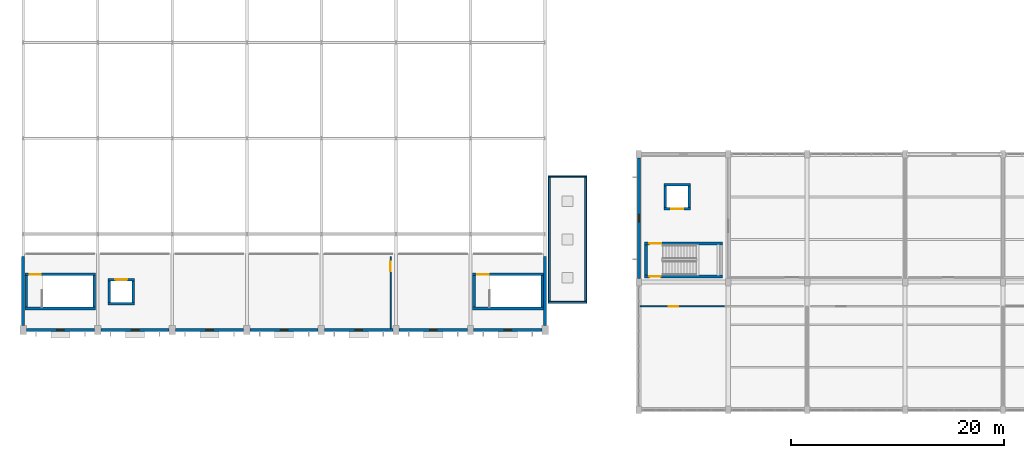
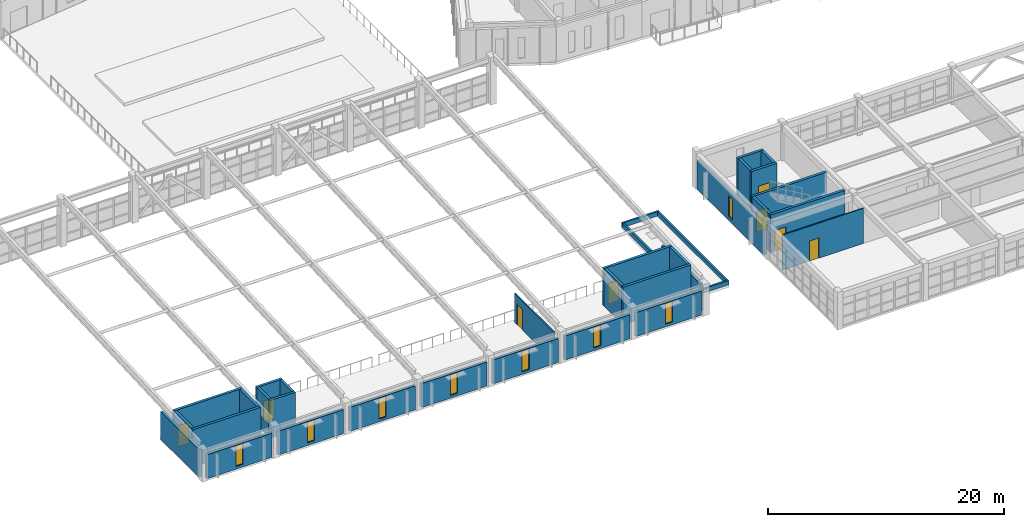
# One storey, part 84 of 150: 35 walls, 8 doors, 8 windows, 16 openings.
"""IFC4 building model written with IfcOpenShell, lengths in metres."""

from ifc_helpers import new_model, si_unit, direction, frame, frame_2d, origin, place, context, subcontext, project, spatial, rectangle, extrude, material, layer, layer_set, type_object, element, fill, save


model = new_model("IFC4")

# Units and contexts
model_context = context("Model", 3, precision=1e-05, world=origin(), true_north=direction((0.0, 1.0)))
body_context = subcontext(model_context, "Body", "Model", "MODEL_VIEW")
ifc_project = project(units=[si_unit("LENGTHUNIT", "METRE"), si_unit("AREAUNIT", "SQUARE_METRE"), si_unit("VOLUMEUNIT", "CUBIC_METRE"), si_unit("PLANEANGLEUNIT", "RADIAN"), si_unit("MASSUNIT", "GRAM", prefix="KILO")], contexts=[model_context])

# Site, building, storey
site_placement = place(None, origin())
site = spatial("IfcSite", under=ifc_project, at=site_placement, CompositionType="ELEMENT")
building_placement = place(site_placement, origin())
building = spatial("IfcBuilding", under=site, at=building_placement, Name="Kestramere Prow Commons", CompositionType="ELEMENT")
storey_placement = place(building_placement, frame((0.0, 0.0, 4.5)))
storey = spatial("IfcBuildingStorey", under=building, at=storey_placement, Name="L01", CompositionType="ELEMENT", Elevation=4.5)

# Wall, opening, window
ifc_material_1 = material(Name="Precast concrete C40/50", Category="concrete")
ifc_layer_1 = layer(ifc_material_1, 0.280029296875)
ifc_layer_set_1 = layer_set([ifc_layer_1], Name="Precast concrete C40/50")
wall_type_1 = type_object("IfcWallType", Name="EW-CIVIC-280", PredefinedType="SOLIDWALL", material=ifc_layer_set_1)
wall_1_placement = place(storey_placement, frame((8.89990234375, 7.5, 0.0), z_axis=(0.0, 0.0, 1.0), x_axis=(-1.0, 0.0, 0.0)))
wall_1 = element("IfcWall", 1, at=wall_1_placement, inside=storey, type_object=wall_type_1, Name="Hall L01 Gallery Wall 1", PredefinedType="SOLIDWALL", context=body_context, shape_type="SweptSolid", body=[
    extrude(rectangle(XDim=6.39990234375, YDim=0.280029296875, at=frame_2d((3.199951171875, 0.0))), origin(), (0.0, 0.0, 1.0), 2.47998046875),
])
opening_1_placement = place(wall_1_placement, frame((2.85009765625, 0.0, 0.280029296875)))
opening_1 = element("IfcOpeningElement", 2, at=opening_1_placement, cuts=wall_1, Name="Opening WN-16", PredefinedType="OPENING", context=body_context, shape_type="SweptSolid", body=[
    extrude(rectangle(XDim=0.699951171875, YDim=2.139892578125, at=frame_2d((0.35009765625, 1.06982421875))), frame((0.0, 0.155029296875, 0.0), z_axis=(0.0, -1.0, 0.0), x_axis=(1.0, 0.0, 0.0)), (0.0, 0.0, 1.0), 0.31005859375),
])
ifc_material_2 = material(Name="Low-E Laminated Double Glazing", Category="glass")
window_type = type_object("IfcWindowType", Name="WN-CIV-700", PartitioningType="SINGLE_PANEL", PredefinedType="WINDOW", material=ifc_material_2)
window_1_placement = place(opening_1_placement, origin())
window_1 = element("IfcWindow", 3, at=window_1_placement, inside=storey, type_object=window_type, Name="WN-HL-L01-S-0", OverallHeight=2.139892578125, OverallWidth=0.699951171875, PartitioningType="SINGLE_PANEL", PredefinedType="WINDOW", context=body_context, shape_type="SweptSolid", body=[
    extrude(rectangle(XDim=0.699951171875, YDim=2.139892578125, at=frame_2d((0.35009765625, 1.06982421875))), frame((0.0, 0.030029296875, 0.0), z_axis=(0.0, -1.0, 0.0), x_axis=(1.0, 0.0, 0.0)), (0.0, 0.0, 1.0), 0.06005859375),
])
fill(opening_1, window_1)

wall_2_placement = place(storey_placement, frame((15.89990234375, 7.5, 0.0), z_axis=(0.0, 0.0, 1.0), x_axis=(-1.0, 0.0, 0.0)))
wall_2 = element("IfcWall", 4, at=wall_2_placement, inside=storey, type_object=wall_type_1, Name="Hall L01 Gallery Wall 2", PredefinedType="SOLIDWALL", context=body_context, shape_type="SweptSolid", body=[
    extrude(rectangle(XDim=6.39990234375, YDim=0.280029296875, at=frame_2d((3.199951171875, 0.0))), origin(), (0.0, 0.0, 1.0), 2.47998046875),
])
opening_2_placement = place(wall_2_placement, frame((2.85009765625, 0.0, 0.280029296875)))
opening_2 = element("IfcOpeningElement", 5, at=opening_2_placement, cuts=wall_2, Name="Opening WN-16", PredefinedType="OPENING", context=body_context, shape_type="SweptSolid", body=[
    extrude(rectangle(XDim=0.699951171875, YDim=2.139892578125, at=frame_2d((0.35009765625, 1.06982421875))), frame((0.0, 0.155029296875, 0.0), z_axis=(0.0, -1.0, 0.0), x_axis=(1.0, 0.0, 0.0)), (0.0, 0.0, 1.0), 0.31005859375),
])
window_2_placement = place(opening_2_placement, origin())
window_2 = element("IfcWindow", 6, at=window_2_placement, inside=storey, type_object=window_type, Name="WN-HL-L01-S-1", OverallHeight=2.139892578125, OverallWidth=0.699951171875, PartitioningType="SINGLE_PANEL", PredefinedType="WINDOW", context=body_context, shape_type="SweptSolid", body=[
    extrude(rectangle(XDim=0.699951171875, YDim=2.139892578125, at=frame_2d((0.35009765625, 1.06982421875))), frame((0.0, 0.030029296875, 0.0), z_axis=(0.0, -1.0, 0.0), x_axis=(1.0, 0.0, 0.0)), (0.0, 0.0, 1.0), 0.06005859375),
])
fill(opening_2, window_2)

wall_3_placement = place(storey_placement, frame((22.89990234375, 7.5, 0.0), z_axis=(0.0, 0.0, 1.0), x_axis=(-1.0, 0.0, 0.0)))
wall_3 = element("IfcWall", 7, at=wall_3_placement, inside=storey, type_object=wall_type_1, Name="Hall L01 Gallery Wall 3", PredefinedType="SOLIDWALL", context=body_context, shape_type="SweptSolid", body=[
    extrude(rectangle(XDim=6.39990234375, YDim=0.280029296875, at=frame_2d((3.199951171875, 0.0))), origin(), (0.0, 0.0, 1.0), 2.47998046875),
])
opening_3_placement = place(wall_3_placement, frame((2.85009765625, 0.0, 0.280029296875)))
opening_3 = element("IfcOpeningElement", 8, at=opening_3_placement, cuts=wall_3, Name="Opening WN-16", PredefinedType="OPENING", context=body_context, shape_type="SweptSolid", body=[
    extrude(rectangle(XDim=0.699951171875, YDim=2.139892578125, at=frame_2d((0.35009765625, 1.06982421875))), frame((0.0, 0.155029296875, 0.0), z_axis=(0.0, -1.0, 0.0), x_axis=(1.0, 0.0, 0.0)), (0.0, 0.0, 1.0), 0.31005859375),
])
window_3_placement = place(opening_3_placement, origin())
window_3 = element("IfcWindow", 9, at=window_3_placement, inside=storey, type_object=window_type, Name="WN-HL-L01-S-2", OverallHeight=2.139892578125, OverallWidth=0.699951171875, PartitioningType="SINGLE_PANEL", PredefinedType="WINDOW", context=body_context, shape_type="SweptSolid", body=[
    extrude(rectangle(XDim=0.699951171875, YDim=2.139892578125, at=frame_2d((0.35009765625, 1.06982421875))), frame((0.0, 0.030029296875, 0.0), z_axis=(0.0, -1.0, 0.0), x_axis=(1.0, 0.0, 0.0)), (0.0, 0.0, 1.0), 0.06005859375),
])
fill(opening_3, window_3)

wall_4_placement = place(storey_placement, frame((29.89990234375, 7.5, 0.0), z_axis=(0.0, 0.0, 1.0), x_axis=(-1.0, 0.0, 0.0)))
wall_4 = element("IfcWall", 10, at=wall_4_placement, inside=storey, type_object=wall_type_1, Name="Hall L01 Gallery Wall 4", PredefinedType="SOLIDWALL", context=body_context, shape_type="SweptSolid", body=[
    extrude(rectangle(XDim=6.39990234375, YDim=0.280029296875, at=frame_2d((3.199951171875, 0.0))), origin(), (0.0, 0.0, 1.0), 2.47998046875),
])
opening_4_placement = place(wall_4_placement, frame((2.85009765625, 0.0, 0.280029296875)))
opening_4 = element("IfcOpeningElement", 11, at=opening_4_placement, cuts=wall_4, Name="Opening WN-16", PredefinedType="OPENING", context=body_context, shape_type="SweptSolid", body=[
    extrude(rectangle(XDim=0.699951171875, YDim=2.139892578125, at=frame_2d((0.35009765625, 1.06982421875))), frame((0.0, 0.155029296875, 0.0), z_axis=(0.0, -1.0, 0.0), x_axis=(1.0, 0.0, 0.0)), (0.0, 0.0, 1.0), 0.31005859375),
])
window_4_placement = place(opening_4_placement, origin())
window_4 = element("IfcWindow", 12, at=window_4_placement, inside=storey, type_object=window_type, Name="WN-HL-L01-S-3", OverallHeight=2.139892578125, OverallWidth=0.699951171875, PartitioningType="SINGLE_PANEL", PredefinedType="WINDOW", context=body_context, shape_type="SweptSolid", body=[
    extrude(rectangle(XDim=0.699951171875, YDim=2.139892578125, at=frame_2d((0.35009765625, 1.06982421875))), frame((0.0, 0.030029296875, 0.0), z_axis=(0.0, -1.0, 0.0), x_axis=(1.0, 0.0, 0.0)), (0.0, 0.0, 1.0), 0.06005859375),
])
fill(opening_4, window_4)

wall_5_placement = place(storey_placement, frame((36.89990234375, 7.5, 0.0), z_axis=(0.0, 0.0, 1.0), x_axis=(-1.0, 0.0, 0.0)))
wall_5 = element("IfcWall", 13, at=wall_5_placement, inside=storey, type_object=wall_type_1, Name="Hall L01 Gallery Wall 5", PredefinedType="SOLIDWALL", context=body_context, shape_type="SweptSolid", body=[
    extrude(rectangle(XDim=6.39990234375, YDim=0.280029296875, at=frame_2d((3.199951171875, 0.0))), origin(), (0.0, 0.0, 1.0), 2.47998046875),
])
opening_5_placement = place(wall_5_placement, frame((2.85009765625, 0.0, 0.280029296875)))
opening_5 = element("IfcOpeningElement", 14, at=opening_5_placement, cuts=wall_5, Name="Opening WN-16", PredefinedType="OPENING", context=body_context, shape_type="SweptSolid", body=[
    extrude(rectangle(XDim=0.699951171875, YDim=2.139892578125, at=frame_2d((0.35009765625, 1.06982421875))), frame((0.0, 0.155029296875, 0.0), z_axis=(0.0, -1.0, 0.0), x_axis=(1.0, 0.0, 0.0)), (0.0, 0.0, 1.0), 0.31005859375),
])
window_5_placement = place(opening_5_placement, origin())
window_5 = element("IfcWindow", 15, at=window_5_placement, inside=storey, type_object=window_type, Name="WN-HL-L01-S-4", OverallHeight=2.139892578125, OverallWidth=0.699951171875, PartitioningType="SINGLE_PANEL", PredefinedType="WINDOW", context=body_context, shape_type="SweptSolid", body=[
    extrude(rectangle(XDim=0.699951171875, YDim=2.139892578125, at=frame_2d((0.35009765625, 1.06982421875))), frame((0.0, 0.030029296875, 0.0), z_axis=(0.0, -1.0, 0.0), x_axis=(1.0, 0.0, 0.0)), (0.0, 0.0, 1.0), 0.06005859375),
])
fill(opening_5, window_5)

wall_6_placement = place(storey_placement, frame((43.89990234375, 7.5, 0.0), z_axis=(0.0, 0.0, 1.0), x_axis=(-1.0, 0.0, 0.0)))
wall_6 = element("IfcWall", 16, at=wall_6_placement, inside=storey, type_object=wall_type_1, Name="Hall L01 Gallery Wall 6", PredefinedType="SOLIDWALL", context=body_context, shape_type="SweptSolid", body=[
    extrude(rectangle(XDim=6.39990234375, YDim=0.280029296875, at=frame_2d((3.199951171875, 0.0))), origin(), (0.0, 0.0, 1.0), 2.47998046875),
])
opening_6_placement = place(wall_6_placement, frame((2.85009765625, 0.0, 0.280029296875)))
opening_6 = element("IfcOpeningElement", 17, at=opening_6_placement, cuts=wall_6, Name="Opening WN-16", PredefinedType="OPENING", context=body_context, shape_type="SweptSolid", body=[
    extrude(rectangle(XDim=0.699951171875, YDim=2.139892578125, at=frame_2d((0.35009765625, 1.06982421875))), frame((0.0, 0.155029296875, 0.0), z_axis=(0.0, -1.0, 0.0), x_axis=(1.0, 0.0, 0.0)), (0.0, 0.0, 1.0), 0.31005859375),
])
window_6_placement = place(opening_6_placement, origin())
window_6 = element("IfcWindow", 18, at=window_6_placement, inside=storey, type_object=window_type, Name="WN-HL-L01-S-5", OverallHeight=2.139892578125, OverallWidth=0.699951171875, PartitioningType="SINGLE_PANEL", PredefinedType="WINDOW", context=body_context, shape_type="SweptSolid", body=[
    extrude(rectangle(XDim=0.699951171875, YDim=2.139892578125, at=frame_2d((0.35009765625, 1.06982421875))), frame((0.0, 0.030029296875, 0.0), z_axis=(0.0, -1.0, 0.0), x_axis=(1.0, 0.0, 0.0)), (0.0, 0.0, 1.0), 0.06005859375),
])
fill(opening_6, window_6)

wall_7_placement = place(storey_placement, frame((50.89990234375, 7.5, 0.0), z_axis=(0.0, 0.0, 1.0), x_axis=(-1.0, 0.0, 0.0)))
wall_7 = element("IfcWall", 19, at=wall_7_placement, inside=storey, type_object=wall_type_1, Name="Hall L01 Gallery Wall 7", PredefinedType="SOLIDWALL", context=body_context, shape_type="SweptSolid", body=[
    extrude(rectangle(XDim=6.39990234375, YDim=0.280029296875, at=frame_2d((3.199951171875, 0.0))), origin(), (0.0, 0.0, 1.0), 2.47998046875),
])
opening_7_placement = place(wall_7_placement, frame((2.85009765625, 0.0, 0.280029296875)))
opening_7 = element("IfcOpeningElement", 20, at=opening_7_placement, cuts=wall_7, Name="Opening WN-16", PredefinedType="OPENING", context=body_context, shape_type="SweptSolid", body=[
    extrude(rectangle(XDim=0.699951171875, YDim=2.139892578125, at=frame_2d((0.35009765625, 1.06982421875))), frame((0.0, 0.155029296875, 0.0), z_axis=(0.0, -1.0, 0.0), x_axis=(1.0, 0.0, 0.0)), (0.0, 0.0, 1.0), 0.31005859375),
])
window_7_placement = place(opening_7_placement, origin())
window_7 = element("IfcWindow", 21, at=window_7_placement, inside=storey, type_object=window_type, Name="WN-HL-L01-S-6", OverallHeight=2.139892578125, OverallWidth=0.699951171875, PartitioningType="SINGLE_PANEL", PredefinedType="WINDOW", context=body_context, shape_type="SweptSolid", body=[
    extrude(rectangle(XDim=0.699951171875, YDim=2.139892578125, at=frame_2d((0.35009765625, 1.06982421875))), frame((0.0, 0.030029296875, 0.0), z_axis=(0.0, -1.0, 0.0), x_axis=(1.0, 0.0, 0.0)), (0.0, 0.0, 1.0), 0.06005859375),
])
fill(opening_7, window_7)

# Walls
for number, where, z_axis, x_axis, name in (
    (22, (2.199951171875, 7.89990234375, 0.0), (0.0, 0.0, 1.0), (0.0, 1.0, 0.0), "Hall L01 W Gallery End Wall"),
    (23, (51.199951171875, 14.39990234375, 0.0), (0.0, 0.0, 1.0), (0.0, -1.0, 0.0), "Hall L01 E Gallery End Wall"),
):
    element("IfcWall", number, at=place(storey_placement, frame(where, z_axis=z_axis, x_axis=x_axis)), inside=storey, type_object=wall_type_1, Name=name, PredefinedType="SOLIDWALL", context=body_context, shape_type="SweptSolid", body=[
        extrude(rectangle(XDim=6.5, YDim=0.280029296875, at=frame_2d((3.25, 0.0))), origin(), (0.0, 0.0, 1.0), 2.860107421875),
    ])

# Wall, opening, window
wall_8_placement = place(storey_placement, frame((60.0, 12.35009765625, 0.0), z_axis=(0.0, 0.0, 1.0), x_axis=(0.0, 1.0, 0.0)))
wall_8 = element("IfcWall", 24, at=wall_8_placement, inside=storey, type_object=wall_type_1, Name="Market L01 W End Wall 2", PredefinedType="SOLIDWALL", context=body_context, shape_type="SweptSolid", body=[
    extrude(rectangle(XDim=11.2998046875, YDim=0.280029296875, at=frame_2d((5.64990234375, 0.0))), origin(), (0.0, 0.0, 1.0), 2.989990234375),
])
opening_8_placement = place(wall_8_placement, frame((5.300048828125, 0.0, 0.419921875)))
opening_8 = element("IfcOpeningElement", 25, at=opening_8_placement, cuts=wall_8, Name="Opening WN-16", PredefinedType="OPENING", context=body_context, shape_type="SweptSolid", body=[
    extrude(rectangle(XDim=0.699951171875, YDim=2.139892578125, at=frame_2d((0.35009765625, 1.06982421875))), frame((0.0, 0.155029296875, 0.0), z_axis=(0.0, -1.0, 0.0), x_axis=(1.0, 0.0, 0.0)), (0.0, 0.0, 1.0), 0.31005859375),
])
window_8_placement = place(opening_8_placement, origin())
window_8 = element("IfcWindow", 26, at=window_8_placement, inside=storey, type_object=window_type, Name="WN-MK-L01-W-1", OverallHeight=2.139892578125, OverallWidth=0.699951171875, PartitioningType="SINGLE_PANEL", PredefinedType="WINDOW", context=body_context, shape_type="SweptSolid", body=[
    extrude(rectangle(XDim=0.699951171875, YDim=2.139892578125, at=frame_2d((0.35009765625, 1.06982421875))), frame((0.0, 0.030029296875, 0.0), z_axis=(0.0, -1.0, 0.0), x_axis=(1.0, 0.0, 0.0)), (0.0, 0.0, 1.0), 0.06005859375),
])
fill(opening_8, window_8)

# Walls
ifc_layer_2 = layer(ifc_material_1, 0.179931640625)
ifc_layer_set_2 = layer_set([ifc_layer_2], Name="Precast concrete C40/50")
wall_type_2 = type_object("IfcWallType", Name="EW-PARAPET-180", PredefinedType="PARAPET", material=ifc_layer_set_2)
for number, where, z_axis, x_axis, name in (
    (27, (55.10009765625, 10.090087890625, 0.050048828125), (0.0, 0.0, 1.0), (-1.0, 0.0, 0.0), "West Canopy Fascia Parapet S"),
    (28, (51.5, 21.909912109375, 0.050048828125), (0.0, 0.0, 1.0), (1.0, 0.0, 0.0), "West Canopy Fascia Parapet N"),
):
    element("IfcWall", number, at=place(storey_placement, frame(where, z_axis=z_axis, x_axis=x_axis)), inside=storey, type_object=wall_type_2, Name=name, PredefinedType="PARAPET", context=body_context, shape_type="SweptSolid", body=[
        extrude(rectangle(XDim=3.60009765625, YDim=0.179931640625, at=frame_2d((1.800048828125, 0.0))), origin(), (0.0, 0.0, 1.0), 0.449951171875),
    ])
for number, where, z_axis, x_axis, name in (
    (29, (51.590087890625, 10.179931640625, 0.050048828125), (0.0, 0.0, 1.0), (0.0, 1.0, 0.0), "West Canopy Fascia Parapet W"),
    (30, (55.010009765625, 21.820068359375, 0.050048828125), (0.0, 0.0, 1.0), (0.0, -1.0, 0.0), "West Canopy Fascia Parapet E"),
):
    element("IfcWall", number, at=place(storey_placement, frame(where, z_axis=z_axis, x_axis=x_axis)), inside=storey, type_object=wall_type_2, Name=name, PredefinedType="PARAPET", context=body_context, shape_type="SweptSolid", body=[
        extrude(rectangle(XDim=11.64013671875, YDim=0.179931640625, at=frame_2d((5.820068359375, 0.0))), origin(), (0.0, 0.0, 1.0), 0.449951171875),
    ])

# Wall, opening, door
ifc_material_3 = material(Name="Concrete C40/50", Category="concrete")
ifc_layer_3 = layer(ifc_material_3, 0.25)
ifc_layer_set_3 = layer_set([ifc_layer_3], Name="Concrete C40/50")
wall_type_3 = type_object("IfcWallType", Name="W-CORE-250", PredefinedType="SHEAR", material=ifc_layer_set_3)
wall_9_placement = place(storey_placement, frame((2.35009765625, 12.72509765625, 0.0), z_axis=(0.0, 0.0, 1.0), x_axis=(1.0, 0.0, 0.0)))
wall_9 = element("IfcWall", 31, at=wall_9_placement, inside=storey, type_object=wall_type_3, Name="ST-H1 L01 North Wall", PredefinedType="SHEAR", context=body_context, shape_type="SweptSolid", body=[
    extrude(rectangle(XDim=6.64990234375, YDim=0.25, at=frame_2d((3.324951171875, 0.0))), origin(), (0.0, 0.0, 1.0), 3.89990234375),
])
opening_9_placement = place(wall_9_placement, frame((0.449951171875, 0.0, 0.0)))
opening_9 = element("IfcOpeningElement", 32, at=opening_9_placement, cuts=wall_9, Name="Opening ID-01", PredefinedType="OPENING", context=body_context, shape_type="SweptSolid", body=[
    extrude(rectangle(XDim=1.050048828125, YDim=2.14990234375, at=frame_2d((0.52490234375, 1.074951171875))), frame((0.0, 0.139892578125, 0.0), z_axis=(0.0, -1.0, 0.0), x_axis=(1.0, 0.0, 0.0)), (0.0, 0.0, 1.0), 0.280029296875),
])
ifc_material_4 = material(Name="Fire-Rated Timber and Steel Frame", Category="steel")
door_type_1 = type_object("IfcDoorType", Name="FD-ST-01", OperationType="NOTDEFINED", PredefinedType="DOOR", material=ifc_material_4)
door_1_placement = place(opening_9_placement, origin())
door_1 = element("IfcDoor", 33, at=door_1_placement, inside=storey, type_object=door_type_1, Name="ST-H1 L01 Protected Stair Door", OperationType="SINGLE_SWING_RIGHT", OverallHeight=2.14990234375, OverallWidth=1.050048828125, PredefinedType="DOOR", context=body_context, shape_type="SweptSolid", body=[
    extrude(rectangle(XDim=1.050048828125, YDim=2.14990234375, at=frame_2d((0.52490234375, 1.074951171875))), frame((0.0, 0.02490234375, 0.0), z_axis=(0.0, -1.0, 0.0), x_axis=(1.0, 0.0, 0.0)), (0.0, 0.0, 1.0), 0.050048828125),
])
fill(opening_9, door_1)

# Walls
wall_10_placement = place(storey_placement, frame((2.35009765625, 9.52490234375, 0.0), z_axis=(0.0, 0.0, 1.0), x_axis=(1.0, 0.0, 0.0)))
element("IfcWall", 34, at=wall_10_placement, inside=storey, type_object=wall_type_3, Name="ST-H1 L01 South Wall", PredefinedType="SHEAR", context=body_context, shape_type="SweptSolid", body=[
    extrude(rectangle(XDim=6.64990234375, YDim=0.25, at=frame_2d((3.324951171875, 0.0))), origin(), (0.0, 0.0, 1.0), 3.89990234375),
])
for number, where, z_axis, x_axis, name in (
    (35, (2.47509765625, 9.64990234375, 0.0), (0.0, 0.0, 1.0), (0.0, 1.0, 0.0), "ST-H1 L01 W Wall"),
    (36, (8.875, 9.64990234375, 0.0), (0.0, 0.0, 1.0), (0.0, 1.0, 0.0), "ST-H1 L01 E Wall"),
):
    element("IfcWall", number, at=place(storey_placement, frame(where, z_axis=z_axis, x_axis=x_axis)), inside=storey, type_object=wall_type_3, Name=name, PredefinedType="SHEAR", context=body_context, shape_type="SweptSolid", body=[
        extrude(rectangle(XDim=2.9501953125, YDim=0.25, at=frame_2d((1.47509765625, 0.0))), origin(), (0.0, 0.0, 1.0), 3.89990234375),
    ])

# Wall, opening, door
wall_11_placement = place(storey_placement, frame((44.39990234375, 12.72509765625, 0.0), z_axis=(0.0, 0.0, 1.0), x_axis=(1.0, 0.0, 0.0)))
wall_11 = element("IfcWall", 37, at=wall_11_placement, inside=storey, type_object=wall_type_3, Name="ST-H2 L01 North Wall", PredefinedType="SHEAR", context=body_context, shape_type="SweptSolid", body=[
    extrude(rectangle(XDim=6.650146484375, YDim=0.25, at=frame_2d((3.3251953125, 0.0))), origin(), (0.0, 0.0, 1.0), 3.89990234375),
])
opening_10_placement = place(wall_11_placement, frame((0.449951171875, 0.0, 0.0)))
opening_10 = element("IfcOpeningElement", 38, at=opening_10_placement, cuts=wall_11, Name="Opening ID-01", PredefinedType="OPENING", context=body_context, shape_type="SweptSolid", body=[
    extrude(rectangle(XDim=1.050048828125, YDim=2.14990234375, at=frame_2d((0.52490234375, 1.074951171875))), frame((0.0, 0.139892578125, 0.0), z_axis=(0.0, -1.0, 0.0), x_axis=(1.0, 0.0, 0.0)), (0.0, 0.0, 1.0), 0.280029296875),
])
door_2_placement = place(opening_10_placement, origin())
door_2 = element("IfcDoor", 39, at=door_2_placement, inside=storey, type_object=door_type_1, Name="ST-H2 L01 Protected Stair Door", OperationType="SINGLE_SWING_RIGHT", OverallHeight=2.14990234375, OverallWidth=1.050048828125, PredefinedType="DOOR", context=body_context, shape_type="SweptSolid", body=[
    extrude(rectangle(XDim=1.050048828125, YDim=2.14990234375, at=frame_2d((0.52490234375, 1.074951171875))), frame((0.0, 0.02490234375, 0.0), z_axis=(0.0, -1.0, 0.0), x_axis=(1.0, 0.0, 0.0)), (0.0, 0.0, 1.0), 0.050048828125),
])
fill(opening_10, door_2)

# Walls
wall_12_placement = place(storey_placement, frame((44.39990234375, 9.52490234375, 0.0), z_axis=(0.0, 0.0, 1.0), x_axis=(1.0, 0.0, 0.0)))
element("IfcWall", 40, at=wall_12_placement, inside=storey, type_object=wall_type_3, Name="ST-H2 L01 South Wall", PredefinedType="SHEAR", context=body_context, shape_type="SweptSolid", body=[
    extrude(rectangle(XDim=6.650146484375, YDim=0.25, at=frame_2d((3.3251953125, 0.0))), origin(), (0.0, 0.0, 1.0), 3.89990234375),
])
for number, where, z_axis, x_axis, name in (
    (41, (44.52490234375, 9.64990234375, 0.0), (0.0, 0.0, 1.0), (0.0, 1.0, 0.0), "ST-H2 L01 W Wall"),
    (42, (50.925048828125, 9.64990234375, 0.0), (0.0, 0.0, 1.0), (0.0, 1.0, 0.0), "ST-H2 L01 E Wall"),
):
    element("IfcWall", number, at=place(storey_placement, frame(where, z_axis=z_axis, x_axis=x_axis)), inside=storey, type_object=wall_type_3, Name=name, PredefinedType="SHEAR", context=body_context, shape_type="SweptSolid", body=[
        extrude(rectangle(XDim=2.9501953125, YDim=0.25, at=frame_2d((1.47509765625, 0.0))), origin(), (0.0, 0.0, 1.0), 3.89990234375),
    ])

# Wall, opening, door
wall_13_placement = place(storey_placement, frame((10.14990234375, 12.22509765625, 0.0), z_axis=(0.0, 0.0, 1.0), x_axis=(1.0, 0.0, 0.0)))
wall_13 = element("IfcWall", 43, at=wall_13_placement, inside=storey, type_object=wall_type_3, Name="PL-H1 L01 Shaft Wall N", PredefinedType="SHEAR", context=body_context, shape_type="SweptSolid", body=[
    extrude(rectangle(XDim=2.5, YDim=0.25, at=frame_2d((1.25, 0.0))), origin(), (0.0, 0.0, 1.0), 3.89990234375),
])
opening_11_placement = place(wall_13_placement, frame((0.699951171875, 0.0, 0.0)))
opening_11 = element("IfcOpeningElement", 44, at=opening_11_placement, cuts=wall_13, Name="Opening LD-01", PredefinedType="OPENING", context=body_context, shape_type="SweptSolid", body=[
    extrude(rectangle(XDim=1.10009765625, YDim=2.14990234375, at=frame_2d((0.550048828125, 1.074951171875))), frame((0.0, 0.139892578125, 0.0), z_axis=(0.0, -1.0, 0.0), x_axis=(1.0, 0.0, 0.0)), (0.0, 0.0, 1.0), 0.280029296875),
])
ifc_material_5 = material(Name="Brushed Stainless Steel 304", Category="steel")
door_type_2 = type_object("IfcDoorType", Name="LD-01", OperationType="DOUBLE_DOOR_SLIDING", PredefinedType="DOOR", material=ifc_material_5)
door_3_placement = place(opening_11_placement, origin())
door_3 = element("IfcDoor", 45, at=door_3_placement, inside=storey, type_object=door_type_2, Name="PL-H1 L01 Lift Landing Door", OperationType="DOUBLE_DOOR_SLIDING", OverallHeight=2.14990234375, OverallWidth=1.10009765625, PredefinedType="DOOR", context=body_context, shape_type="SweptSolid", body=[
    extrude(rectangle(XDim=1.10009765625, YDim=2.14990234375, at=frame_2d((0.550048828125, 1.074951171875))), frame((0.0, 0.02490234375, 0.0), z_axis=(0.0, -1.0, 0.0), x_axis=(1.0, 0.0, 0.0)), (0.0, 0.0, 1.0), 0.050048828125),
])
fill(opening_11, door_3)

# Walls
wall_14_placement = place(storey_placement, frame((10.14990234375, 9.97509765625, 0.0), z_axis=(0.0, 0.0, 1.0), x_axis=(1.0, 0.0, 0.0)))
element("IfcWall", 46, at=wall_14_placement, inside=storey, type_object=wall_type_3, Name="PL-H1 L01 Shaft Wall S", PredefinedType="SHEAR", context=body_context, shape_type="SweptSolid", body=[
    extrude(rectangle(XDim=2.5, YDim=0.25, at=frame_2d((1.25, 0.0))), origin(), (0.0, 0.0, 1.0), 3.89990234375),
])
for number, where, z_axis, x_axis, name in (
    (47, (10.27490234375, 10.10009765625, 0.0), (0.0, 0.0, 1.0), (0.0, 1.0, 0.0), "PL-H1 L01 Shaft Wall W"),
    (48, (12.52490234375, 10.10009765625, 0.0), (0.0, 0.0, 1.0), (0.0, 1.0, 0.0), "PL-H1 L01 Shaft Wall E"),
):
    element("IfcWall", number, at=place(storey_placement, frame(where, z_axis=z_axis, x_axis=x_axis)), inside=storey, type_object=wall_type_3, Name=name, PredefinedType="SHEAR", context=body_context, shape_type="SweptSolid", body=[
        extrude(rectangle(XDim=2.0, YDim=0.25, at=frame_2d((1.0, 0.0))), origin(), (0.0, 0.0, 1.0), 3.89990234375),
    ])

# Wall, opening, door
wall_15_placement = place(storey_placement, frame((60.550048828125, 12.52490234375, 0.0), z_axis=(0.0, 0.0, 1.0), x_axis=(1.0, 0.0, 0.0)))
wall_15 = element("IfcWall", 49, at=wall_15_placement, inside=storey, type_object=wall_type_3, Name="SW-ST-M1-L01-L", PredefinedType="SHEAR", context=body_context, shape_type="SweptSolid", body=[
    extrude(rectangle(XDim=7.300048828125, YDim=0.25, at=frame_2d((3.64990234375, 0.0))), origin(), (0.0, 0.0, 1.0), 3.89990234375),
])
opening_12_placement = place(wall_15_placement, frame((0.449951171875, 0.0, 0.0)))
opening_12 = element("IfcOpeningElement", 50, at=opening_12_placement, cuts=wall_15, Name="Opening ID-01", PredefinedType="OPENING", context=body_context, shape_type="SweptSolid", body=[
    extrude(rectangle(XDim=1.050048828125, YDim=2.14990234375, at=frame_2d((0.52490234375, 1.074951171875))), frame((0.0, 0.139892578125, 0.0), z_axis=(0.0, -1.0, 0.0), x_axis=(1.0, 0.0, 0.0)), (0.0, 0.0, 1.0), 0.280029296875),
])
door_4_placement = place(opening_12_placement, origin())
door_4 = element("IfcDoor", 51, at=door_4_placement, inside=storey, type_object=door_type_1, Name="ST-M1 L01 Protected Stair Door", OperationType="SINGLE_SWING_LEFT", OverallHeight=2.14990234375, OverallWidth=1.050048828125, PredefinedType="DOOR", context=body_context, shape_type="SweptSolid", body=[
    extrude(rectangle(XDim=1.050048828125, YDim=2.14990234375, at=frame_2d((0.52490234375, 1.074951171875))), frame((0.0, 0.02490234375, 0.0), z_axis=(0.0, -1.0, 0.0), x_axis=(1.0, 0.0, 0.0)), (0.0, 0.0, 1.0), 0.050048828125),
])
fill(opening_12, door_4)

wall_16_placement = place(storey_placement, frame((60.550048828125, 15.625, 0.0), z_axis=(0.0, 0.0, 1.0), x_axis=(1.0, 0.0, 0.0)))
wall_16 = element("IfcWall", 52, at=wall_16_placement, inside=storey, type_object=wall_type_3, Name="SW-ST-M1-L01-R", PredefinedType="SHEAR", context=body_context, shape_type="SweptSolid", body=[
    extrude(rectangle(XDim=7.300048828125, YDim=0.25, at=frame_2d((3.64990234375, 0.0))), origin(), (0.0, 0.0, 1.0), 3.89990234375),
])
opening_13_placement = place(wall_16_placement, frame((0.449951171875, 0.0, 0.0)))
opening_13 = element("IfcOpeningElement", 53, at=opening_13_placement, cuts=wall_16, Name="Opening ID-02", PredefinedType="OPENING", context=body_context, shape_type="SweptSolid", body=[
    extrude(rectangle(XDim=1.1201171875, YDim=2.14990234375, at=frame_2d((0.56005859375, 1.074951171875))), frame((0.0, 0.139892578125, 0.0), z_axis=(0.0, -1.0, 0.0), x_axis=(1.0, 0.0, 0.0)), (0.0, 0.0, 1.0), 0.280029296875),
])
door_type_3 = type_object("IfcDoorType", Name="FD-ST-02", OperationType="NOTDEFINED", PredefinedType="DOOR", material=ifc_material_4)
door_5_placement = place(opening_13_placement, origin())
door_5 = element("IfcDoor", 54, at=door_5_placement, inside=storey, type_object=door_type_3, Name="ST-M1 L01 Lobby/Exit Stair Door", OperationType="SINGLE_SWING_RIGHT", OverallHeight=2.14990234375, OverallWidth=1.1201171875, PredefinedType="DOOR", context=body_context, shape_type="SweptSolid", body=[
    extrude(rectangle(XDim=1.1201171875, YDim=2.14990234375, at=frame_2d((0.56005859375, 1.074951171875))), frame((0.0, 0.02490234375, 0.0), z_axis=(0.0, -1.0, 0.0), x_axis=(1.0, 0.0, 0.0)), (0.0, 0.0, 1.0), 0.050048828125),
])
fill(opening_13, door_5)

# Walls
wall_17_placement = place(storey_placement, frame((60.675048828125, 12.64990234375, 0.0), z_axis=(0.0, 0.0, 1.0), x_axis=(0.0, 1.0, 0.0)))
element("IfcWall", 55, at=wall_17_placement, inside=storey, type_object=wall_type_3, Name="SW-ST-M1-L01-N", PredefinedType="SHEAR", context=body_context, shape_type="SweptSolid", body=[
    extrude(rectangle(XDim=2.85009765625, YDim=0.25, at=frame_2d((1.425048828125, 0.0))), origin(), (0.0, 0.0, 1.0), 3.89990234375),
])
wall_18_placement = place(storey_placement, frame((62.35009765625, 21.125, 0.0), z_axis=(0.0, 0.0, 1.0), x_axis=(1.0, 0.0, 0.0)))
element("IfcWall", 56, at=wall_18_placement, inside=storey, type_object=wall_type_3, Name="CW-PLS1-L01-N", PredefinedType="SHEAR", context=body_context, shape_type="SweptSolid", body=[
    extrude(rectangle(XDim=2.5, YDim=0.25, at=frame_2d((1.25, 0.0))), origin(), (0.0, 0.0, 1.0), 3.89990234375),
])

# Wall, opening, door
wall_19_placement = place(storey_placement, frame((62.35009765625, 18.875, 0.0), z_axis=(0.0, 0.0, 1.0), x_axis=(1.0, 0.0, 0.0)))
wall_19 = element("IfcWall", 57, at=wall_19_placement, inside=storey, type_object=wall_type_3, Name="CW-PLS1-L01-S", PredefinedType="SHEAR", context=body_context, shape_type="SweptSolid", body=[
    extrude(rectangle(XDim=2.5, YDim=0.25, at=frame_2d((1.25, 0.0))), origin(), (0.0, 0.0, 1.0), 3.89990234375),
])
opening_14_placement = place(wall_19_placement, frame((0.699951171875, 0.0, 0.0)))
opening_14 = element("IfcOpeningElement", 58, at=opening_14_placement, cuts=wall_19, Name="Opening LD-01", PredefinedType="OPENING", context=body_context, shape_type="SweptSolid", body=[
    extrude(rectangle(XDim=1.10009765625, YDim=2.14990234375, at=frame_2d((0.550048828125, 1.074951171875))), frame((0.0, 0.139892578125, 0.0), z_axis=(0.0, -1.0, 0.0), x_axis=(1.0, 0.0, 0.0)), (0.0, 0.0, 1.0), 0.280029296875),
])
door_6_placement = place(opening_14_placement, origin())
door_6 = element("IfcDoor", 59, at=door_6_placement, inside=storey, type_object=door_type_2, Name="PL-S1 L01 Lift Landing Door", OperationType="DOUBLE_DOOR_SLIDING", OverallHeight=2.14990234375, OverallWidth=1.10009765625, PredefinedType="DOOR", context=body_context, shape_type="SweptSolid", body=[
    extrude(rectangle(XDim=1.10009765625, YDim=2.14990234375, at=frame_2d((0.550048828125, 1.074951171875))), frame((0.0, 0.02490234375, 0.0), z_axis=(0.0, -1.0, 0.0), x_axis=(1.0, 0.0, 0.0)), (0.0, 0.0, 1.0), 0.050048828125),
])
fill(opening_14, door_6)

# Walls
for number, where, z_axis, x_axis, name in (
    (60, (62.47509765625, 19.0, 0.0), (0.0, 0.0, 1.0), (0.0, 1.0, 0.0), "CW-PLS1-L01-W"),
    (61, (64.72509765625, 19.0, 0.0), (0.0, 0.0, 1.0), (0.0, 1.0, 0.0), "CW-PLS1-L01-E"),
):
    element("IfcWall", number, at=place(storey_placement, frame(where, z_axis=z_axis, x_axis=x_axis)), inside=storey, type_object=wall_type_3, Name=name, PredefinedType="SHEAR", context=body_context, shape_type="SweptSolid", body=[
        extrude(rectangle(XDim=2.0, YDim=0.25, at=frame_2d((1.0, 0.0))), origin(), (0.0, 0.0, 1.0), 3.89990234375),
    ])

# Wall, opening, door
ifc_material_6 = material(Name="Lightweight Blockwork and Plaster", Category="masonry")
ifc_layer_4 = layer(ifc_material_6, 0.1201171875)
ifc_layer_set_4 = layer_set([ifc_layer_4], Name="Lightweight Blockwork and Plaster")
wall_type_4 = type_object("IfcWallType", Name="W-PART-120", PredefinedType="PARTITIONING", material=ifc_layer_set_4)
wall_20_placement = place(storey_placement, frame((36.699951171875, 7.659912109375, 0.0), z_axis=(0.0, 0.0, 1.0), x_axis=(0.0, 1.0, 0.0)))
wall_20 = element("IfcWall", 62, at=wall_20_placement, inside=storey, type_object=wall_type_4, Name="Interior Partition PW-HL-L01-CLUB", PredefinedType="PARTITIONING", context=body_context, shape_type="SweptSolid", body=[
    extrude(rectangle(XDim=6.719970703125, YDim=0.1201171875, at=frame_2d((3.35986328125, 0.0))), origin(), (0.0, 0.0, 1.0), 3.0),
])
opening_15_placement = place(wall_20_placement, frame((5.35009765625, 0.0, 0.0)))
opening_15 = element("IfcOpeningElement", 63, at=opening_15_placement, cuts=wall_20, Name="Opening ID-10", PredefinedType="OPENING", context=body_context, shape_type="SweptSolid", body=[
    extrude(rectangle(XDim=0.8798828125, YDim=2.10009765625, at=frame_2d((0.43994140625, 1.050048828125))), frame((0.0, 0.074951171875, 0.0), z_axis=(0.0, -1.0, 0.0), x_axis=(1.0, 0.0, 0.0)), (0.0, 0.0, 1.0), 0.150146484375),
])
ifc_material_7 = material(Name="Engineered Timber Bedroom Door", Category="wood")
door_type_4 = type_object("IfcDoorType", Name="D-RM-03", OperationType="NOTDEFINED", PredefinedType="DOOR", material=ifc_material_7)
door_7_placement = place(opening_15_placement, origin())
door_7 = element("IfcDoor", 64, at=door_7_placement, inside=storey, type_object=door_type_4, Name="Interior Door DR-HL-L01-CLUB", OperationType="SINGLE_SWING_LEFT", OverallHeight=2.10009765625, OverallWidth=0.8798828125, PredefinedType="DOOR", context=body_context, shape_type="SweptSolid", body=[
    extrude(rectangle(XDim=0.8798828125, YDim=2.10009765625, at=frame_2d((0.43994140625, 1.050048828125))), frame((0.0, 0.02490234375, 0.0), z_axis=(0.0, -1.0, 0.0), x_axis=(1.0, 0.0, 0.0)), (0.0, 0.0, 1.0), 0.050048828125),
])
fill(opening_15, door_7)

wall_21_placement = place(storey_placement, frame((60.14990234375, 9.719970703125, 0.0), z_axis=(0.0, 0.0, 1.0), x_axis=(1.0, 0.0, 0.0)))
wall_21 = element("IfcWall", 65, at=wall_21_placement, inside=storey, type_object=wall_type_4, Name="Interior Partition PW-MK-L01-CS-0", PredefinedType="PARTITIONING", context=body_context, shape_type="SweptSolid", body=[
    extrude(rectangle(XDim=7.900146484375, YDim=0.1201171875, at=frame_2d((3.9501953125, 0.0))), origin(), (0.0, 0.0, 1.0), 3.6298828125),
])
opening_16_placement = place(wall_21_placement, frame((2.64990234375, 0.0, 0.0)))
opening_16 = element("IfcOpeningElement", 66, at=opening_16_placement, cuts=wall_21, Name="Opening ID-08", PredefinedType="OPENING", context=body_context, shape_type="SweptSolid", body=[
    extrude(rectangle(XDim=0.89990234375, YDim=2.10009765625, at=frame_2d((0.449951171875, 1.050048828125))), frame((0.0, 0.074951171875, 0.0), z_axis=(0.0, -1.0, 0.0), x_axis=(1.0, 0.0, 0.0)), (0.0, 0.0, 1.0), 0.150146484375),
])
ifc_material_8 = material(Name="Engineered Timber Flush Door", Category="wood")
door_type_5 = type_object("IfcDoorType", Name="D-RM-01", OperationType="NOTDEFINED", PredefinedType="DOOR", material=ifc_material_8)
door_8_placement = place(opening_16_placement, origin())
door_8 = element("IfcDoor", 67, at=door_8_placement, inside=storey, type_object=door_type_5, Name="Interior Door DR-MK-L01-S-0", OperationType="SINGLE_SWING_LEFT", OverallHeight=2.10009765625, OverallWidth=0.89990234375, PredefinedType="DOOR", context=body_context, shape_type="SweptSolid", body=[
    extrude(rectangle(XDim=0.89990234375, YDim=2.10009765625, at=frame_2d((0.449951171875, 1.050048828125))), frame((0.0, 0.02490234375, 0.0), z_axis=(0.0, -1.0, 0.0), x_axis=(1.0, 0.0, 0.0)), (0.0, 0.0, 1.0), 0.050048828125),
])
fill(opening_16, door_8)

save(model, "model.ifc")
